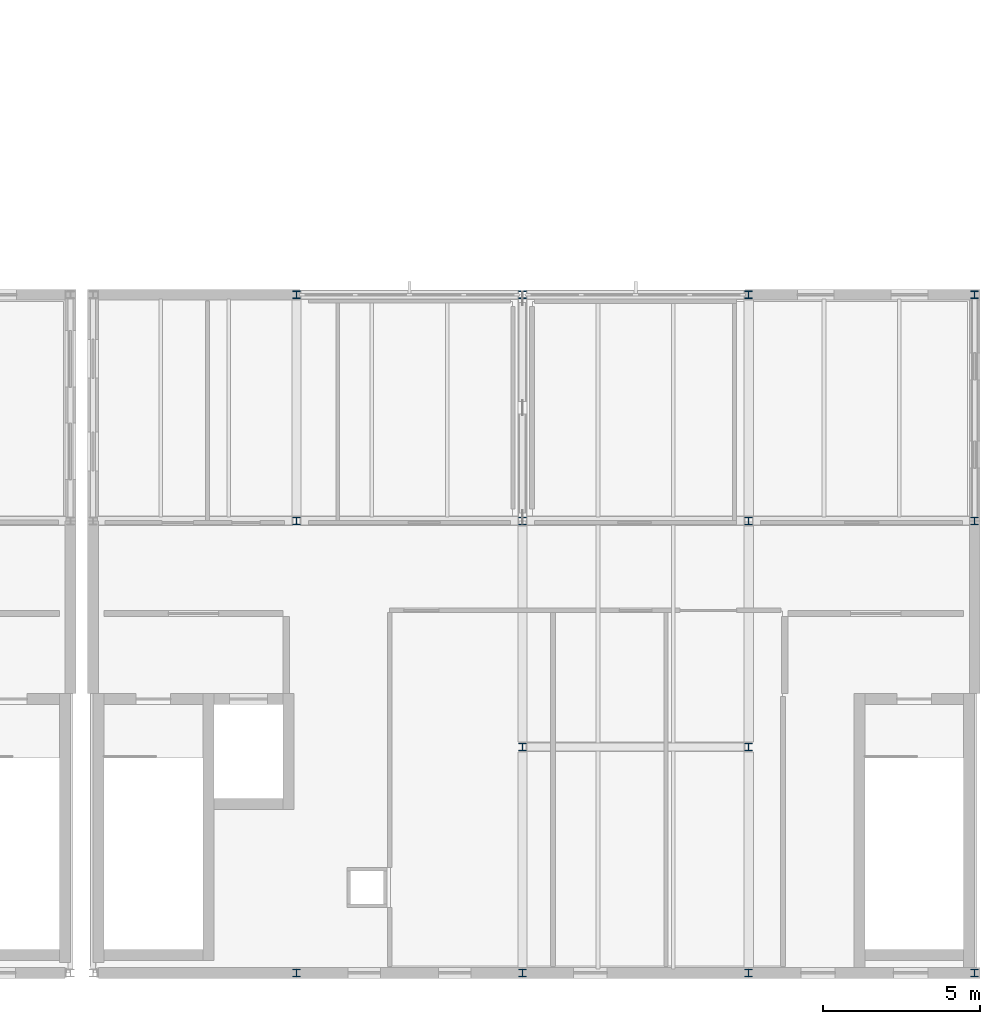
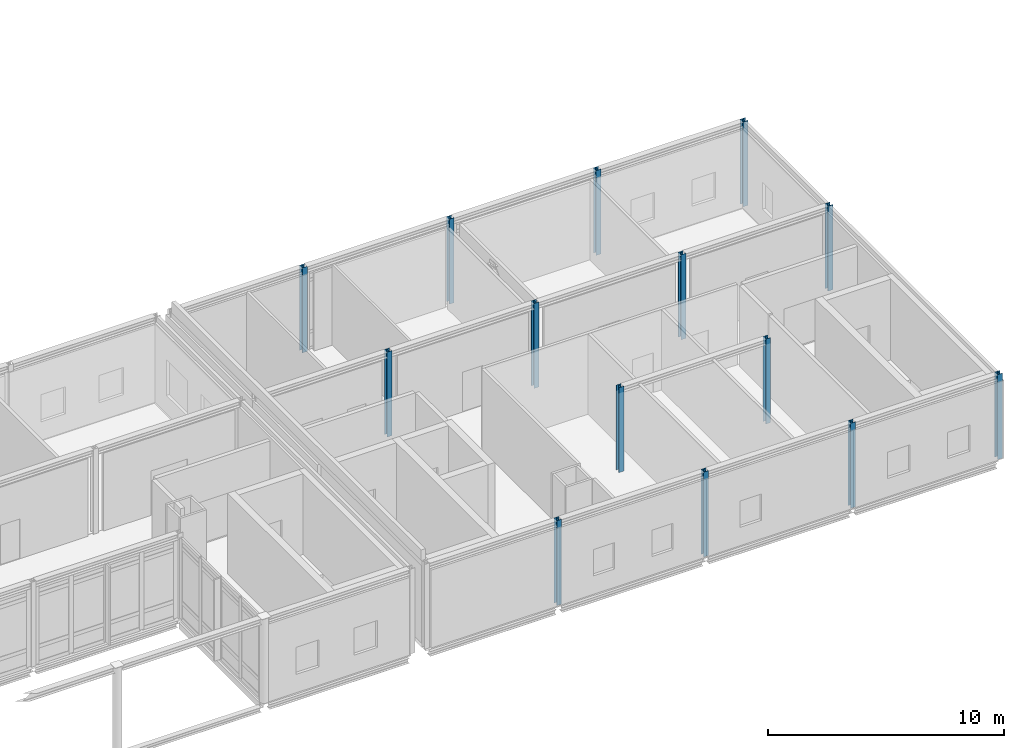
# One storey, part 5 of 43: 14 columns.
"""IFC4 building model written with IfcOpenShell, lengths in metres."""

from ifc_helpers import new_model, si_unit, direction, frame, origin, origin_2d, place, context, subcontext, project, spatial, i_section, extrude, material, material_profile, profile_set, type_object, element, save


model = new_model("IFC4")

# Units and contexts
model_context = context("Model", 3, precision=1e-05, world=origin(), true_north=direction((0.0, 1.0)))
body_context = subcontext(model_context, "Body", "Model", "MODEL_VIEW")
ifc_project = project(units=[si_unit("LENGTHUNIT", "METRE"), si_unit("AREAUNIT", "SQUARE_METRE"), si_unit("VOLUMEUNIT", "CUBIC_METRE"), si_unit("PLANEANGLEUNIT", "RADIAN"), si_unit("MASSUNIT", "GRAM", prefix="KILO")], contexts=[model_context])

# Site, building, storey
site_placement = place(None, origin())
site = spatial("IfcSite", under=ifc_project, at=site_placement, CompositionType="ELEMENT")
building_placement = place(site_placement, origin())
building = spatial("IfcBuilding", under=site, at=building_placement, Name="Zarrinpeak Specialist Clinic", CompositionType="ELEMENT")
storey_placement = place(building_placement, frame((0.0, 0.0, 18.39990234375)))
storey = spatial("IfcBuildingStorey", under=building, at=storey_placement, Name="L04", CompositionType="ELEMENT", Elevation=18.39990234375)

# Columns
ifc_material = material(Name="Steel S355", Category="steel")
ifc_material_profile = material_profile(ifc_material, i_section(OverallWidth=0.239990234375, OverallDepth=0.239990234375, WebThickness=0.010009765625, FlangeThickness=0.01708984375, FilletRadius=0.02099609375, at=origin_2d()), Name="HEB 240")
ifc_profile_set = profile_set([ifc_material_profile], Name="Steel S355")
column_type = type_object("IfcColumnType", Name="COL-HEB240", PredefinedType="COLUMN", material=ifc_profile_set)
for number, where, z_axis, x_axis, name in (
    (1, (64.800048828125, 0.0, 0.0), (0.0, 0.0, 1.0), (1.0, 0.0, 0.0), "L04 Structural Column COL-L04-077"),
    (2, (64.800048828125, 14.39990234375, 0.0), (0.0, 0.0, 1.0), (1.0, 0.0, 0.0), "L04 Structural Column COL-L04-078"),
    (3, (64.800048828125, 21.60009765625, 0.0), (0.0, 0.0, 1.0), (1.0, 0.0, 0.0), "L04 Structural Column COL-L04-079"),
    (4, (72.0, 0.0, 0.0), (0.0, 0.0, 1.0), (1.0, 0.0, 0.0), "L04 Structural Column COL-L04-084"),
    (5, (72.0, 7.199951171875, 0.0), (0.0, 0.0, 1.0), (1.0, 0.0, 0.0), "L04 Structural Column COL-L04-085"),
    (6, (72.0, 14.39990234375, 0.0), (0.0, 0.0, 1.0), (1.0, 0.0, 0.0), "L04 Structural Column COL-L04-086"),
    (7, (72.0, 21.60009765625, 0.0), (0.0, 0.0, 1.0), (1.0, 0.0, 0.0), "L04 Structural Column COL-L04-087"),
    (8, (79.199951171875, 0.0, 0.0), (0.0, 0.0, 1.0), (1.0, 0.0, 0.0), "L04 Structural Column COL-L04-088"),
    (9, (79.199951171875, 7.199951171875, 0.0), (0.0, 0.0, 1.0), (1.0, 0.0, 0.0), "L04 Structural Column COL-L04-089"),
    (10, (79.199951171875, 14.39990234375, 0.0), (0.0, 0.0, 1.0), (1.0, 0.0, 0.0), "L04 Structural Column COL-L04-090"),
    (11, (79.199951171875, 21.60009765625, 0.0), (0.0, 0.0, 1.0), (1.0, 0.0, 0.0), "L04 Structural Column COL-L04-091"),
    (12, (86.39990234375, 0.0, 0.0), (0.0, 0.0, 1.0), (1.0, 0.0, 0.0), "L04 Structural Column COL-L04-092"),
    (13, (86.39990234375, 14.39990234375, 0.0), (0.0, 0.0, 1.0), (1.0, 0.0, 0.0), "L04 Structural Column COL-L04-093"),
    (14, (86.39990234375, 21.60009765625, 0.0), (0.0, 0.0, 1.0), (1.0, 0.0, 0.0), "L04 Structural Column COL-L04-094"),
):
    element("IfcColumn", number, at=place(storey_placement, frame(where, z_axis=z_axis, x_axis=x_axis)), inside=storey, type_object=column_type, Name=name, PredefinedType="COLUMN", context=body_context, shape_type="SweptSolid", body=[
        extrude(i_section(OverallWidth=0.239990234375, OverallDepth=0.239990234375, WebThickness=0.010009765625, FlangeThickness=0.01708984375, FilletRadius=0.02099609375, at=origin_2d()), origin(), (0.0, 0.0, 1.0), 4.400146484375),
    ])

save(model, "model.ifc")
